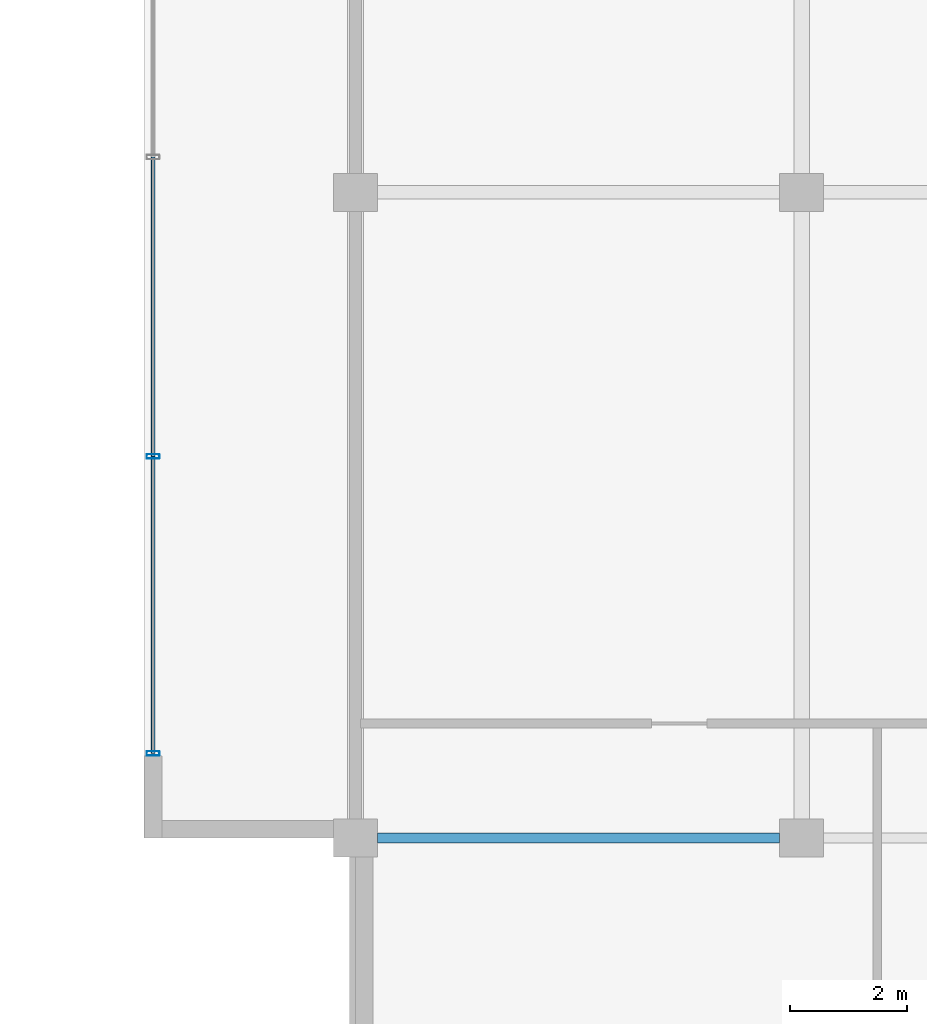
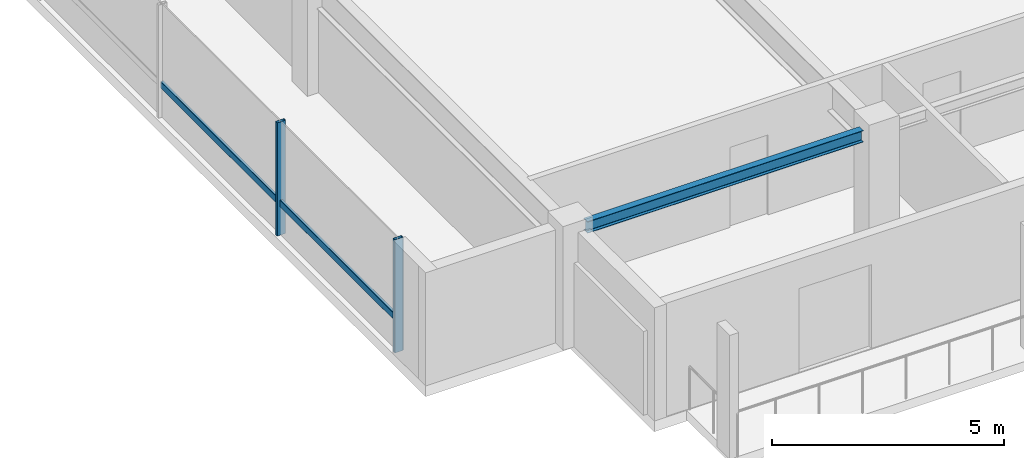
# One storey, part 2 of 30: 4 members, 1 beam, 1 element without a shape of its own.
"""IFC4 building model written with IfcOpenShell, lengths in metres."""

import ifcopenshell
import ifcopenshell.guid

model = None  # the IFC model being written
_history = None  # IfcOwnerHistory: only IFC2X3 demands one
_inside = {}  # id of a spatial element -> (the spatial element, [elements in it])
_under = {}  # id of a project, library or spatial element -> (it, [spatial elements below it])
_declared = {}  # id of a project -> (the project, [libraries it declares])
_typed = {}  # id of a type object -> (the type object, [elements of that type])
_made_of = {}  # id of a material, layer set ... -> (it, [elements and type objects made of it])


def new_model(schema):
    """Start an empty IFC model of exactly this schema.

    Asked for "IFC4X3", IfcOpenShell would pick the latest addendum, in which some entities
    have other attributes; the version numbers below select the first issue.
    IFC2X3 requires an IfcOwnerHistory on every rooted entity: one is made here for all.
    """
    global model, _history
    if schema == "IFC4X3":
        model = ifcopenshell.file(schema_version=(4, 3, 0, 0))
    else:
        model = ifcopenshell.file(schema=schema)
    _inside.clear()
    _under.clear()
    _declared.clear()
    _typed.clear()
    _made_of.clear()
    _history = None
    if model.schema == "IFC2X3":
        org = make("IfcOrganization", Name="unknown")
        user = make(
            "IfcPersonAndOrganization",
            ThePerson=make("IfcPerson", FamilyName="unknown"),
            TheOrganization=org,
        )
        app = make(
            "IfcApplication",
            ApplicationDeveloper=org,
            Version="unknown",
            ApplicationFullName="unknown",
            ApplicationIdentifier="unknown",
        )
        _history = make(
            "IfcOwnerHistory",
            OwningUser=user,
            OwningApplication=app,
            ChangeAction="ADDED",
            CreationDate=0,
        )
    return model


def make(cls, **values):
    """One entity of the class cls with the attributes given. An attribute that is None is left unset."""
    return model.create_entity(
        cls, **{name: value for name, value in values.items() if value is not None}
    )


def rooted(cls, **values):
    """An entity with a GlobalId (a new one), such as an element, a storey or a relation."""
    return make(cls, GlobalId=ifcopenshell.guid.new(), OwnerHistory=_history, **values)


def si_unit(unit_type, name, prefix=None):
    """IfcSIUnit, for example si_unit("LENGTHUNIT", "METRE", prefix="MILLI")."""
    return make("IfcSIUnit", UnitType=unit_type, Prefix=prefix, Name=name)


def assignment(units):
    """IfcUnitAssignment: the units of a project."""
    return None if units is None else make("IfcUnitAssignment", Units=units)


def point(xyz):
    """IfcCartesianPoint."""
    return None if xyz is None else make("IfcCartesianPoint", Coordinates=xyz)


def direction(xyz):
    """IfcDirection."""
    return None if xyz is None else make("IfcDirection", DirectionRatios=xyz)


def frame(location, z_axis=None, x_axis=None):
    """IfcAxis2Placement3D, a coordinate frame: its origin and axes. An axis left out is left unset."""
    return make(
        "IfcAxis2Placement3D",
        Location=point(location),
        Axis=direction(z_axis),
        RefDirection=direction(x_axis),
    )


def frame_2d(location, x_axis=None):
    """IfcAxis2Placement2D, a coordinate frame in the plane: its origin and x axis."""
    return make(
        "IfcAxis2Placement2D", Location=point(location), RefDirection=direction(x_axis)
    )


def origin():
    """The frame at (0, 0, 0) with its axes left unset."""
    return frame((0.0, 0.0, 0.0))


def origin_2d():
    """The frame at (0, 0) in the plane with its x axis left unset."""
    return frame_2d((0.0, 0.0))


def place(relative_to, where):
    """IfcLocalPlacement: puts the frame where relative to a parent placement (None: the world)."""
    return make(
        "IfcLocalPlacement", PlacementRelTo=relative_to, RelativePlacement=where
    )


def context(
    kind, dimensions, precision=None, world=None, true_north=None, identifier=None
):
    """IfcGeometricRepresentationContext, for example the 3D "Model" context."""
    return make(
        "IfcGeometricRepresentationContext",
        ContextIdentifier=identifier,
        ContextType=kind,
        CoordinateSpaceDimension=dimensions,
        Precision=precision,
        WorldCoordinateSystem=world,
        TrueNorth=true_north,
    )


def subcontext(parent, identifier, kind, view, scale=None):
    """IfcGeometricRepresentationSubContext, for example "Body" below "Model"."""
    return make(
        "IfcGeometricRepresentationSubContext",
        ContextIdentifier=identifier,
        ContextType=kind,
        ParentContext=parent,
        TargetScale=scale,
        TargetView=view,
    )


def project(units=None, contexts=None):
    """IfcProject with its units and contexts."""
    return rooted(
        "IfcProject",
        Name="project",
        RepresentationContexts=contexts,
        UnitsInContext=assignment(units),
    )


def spatial(cls, under=None, at=None, **own):
    """A site, building, storey or space (cls), placed at a placement, below another one or the project."""
    s = rooted(cls, ObjectPlacement=at, **own)
    if under is not None:
        _under.setdefault(under.id(), (under, []))[1].append(s)
    return s


def profile(cls, at=None, kind="AREA", **sizes):
    """A parametric profile (cls). Its sizes go by their IFC names, for example OverallWidth=200.0."""
    return make(cls, ProfileType=kind, Position=at, **sizes)


def hollow_rectangle(**sizes):
    """IfcRectangleHollowProfileDef."""
    return profile("IfcRectangleHollowProfileDef", **sizes)


def i_section(**sizes):
    """IfcIShapeProfileDef."""
    return profile("IfcIShapeProfileDef", **sizes)


def extrude(swept, where, along, depth):
    """IfcExtrudedAreaSolid: the profile swept, set in the frame where, extruded along a direction by depth."""
    return make(
        "IfcExtrudedAreaSolid",
        SweptArea=swept,
        Position=where,
        ExtrudedDirection=direction(along),
        Depth=depth,
    )


def shape(context_of_items, identifier, shape_type, items):
    """IfcShapeRepresentation: the items that make up one representation, for example the "Body"."""
    return make(
        "IfcShapeRepresentation",
        ContextOfItems=context_of_items,
        RepresentationIdentifier=identifier,
        RepresentationType=shape_type,
        Items=items,
    )


def material(Name=None, Category=None):
    """IfcMaterial."""
    return make("IfcMaterial", Name=Name, Category=Category)


def layer(
    of_material, thickness, ventilated=None, Name=None, Category=None, Priority=None
):
    """IfcMaterialLayer: one layer of a wall or slab, of a material (None: an air gap)."""
    return make(
        "IfcMaterialLayer",
        Material=of_material,
        LayerThickness=thickness,
        IsVentilated=ventilated,
        Name=Name,
        Category=Category,
        Priority=Priority,
    )


def layer_set(layers, Name=None):
    """IfcMaterialLayerSet."""
    return make("IfcMaterialLayerSet", MaterialLayers=layers, LayerSetName=Name)


def material_profile(
    of_material, cross_section, Name=None, Category=None, Priority=None
):
    """IfcMaterialProfile: a cross section and its material."""
    return make(
        "IfcMaterialProfile",
        Name=Name,
        Material=of_material,
        Profile=cross_section,
        Priority=Priority,
        Category=Category,
    )


def profile_set(profiles, Name=None, composite=None):
    """IfcMaterialProfileSet."""
    return make(
        "IfcMaterialProfileSet",
        Name=Name,
        MaterialProfiles=profiles,
        CompositeProfile=composite,
    )


def made_of(thing, what):
    """Note that an element or type object is made of a material, layer set ...; save() writes the relation."""
    if what is not None:
        _made_of.setdefault(what.id(), (what, []))[1].append(thing)
    return thing


def type_object(cls, material=None, **own):
    """A type object (cls), such as IfcWallType, which elements share."""
    return made_of(rooted(cls, **own), material)


def element(
    cls,
    number,
    at=None,
    inside=None,
    cuts=None,
    type_object=None,
    material=None,
    context=None,
    identifier="Body",
    shape_type=None,
    held_by="IfcProductDefinitionShape",
    body=None,
    shapes=None,
    **own,
):
    """One element of the class cls, such as IfcWall. Its Tag is "e" and its number.

    at: its placement. inside: the storey or other place that contains it. cuts: it is an
    opening in that element (IfcRelVoidsElement). A single representation is given by context,
    identifier, shape_type and body (its items); several are given by shapes. held_by: the class
    of the entity that holds the representations. save() writes the other relations.
    """
    e = rooted(cls, Tag="e%d" % number, ObjectPlacement=at, **own)
    if body is not None:
        shapes = [shape(context, identifier, shape_type, body)]
    if shapes is not None:
        e.Representation = make(held_by, Representations=shapes)
    if inside is not None:
        _inside.setdefault(inside.id(), (inside, []))[1].append(e)
    if cuts is not None:
        rooted(
            "IfcRelVoidsElement", RelatingBuildingElement=cuts, RelatedOpeningElement=e
        )
    if type_object is not None:
        _typed.setdefault(type_object.id(), (type_object, []))[1].append(e)
    return made_of(e, material)


def aggregate(whole, parts):
    """IfcRelAggregates: a whole, such as a stair, and the parts it consists of."""
    return rooted("IfcRelAggregates", RelatingObject=whole, RelatedObjects=parts)


def save(model, path):
    """Write the relations noted so far, then the file.

    IfcRelAggregates (storeys below a building ...), IfcRelContainedInSpatialStructure (elements
    in a storey), IfcRelDefinesByType, IfcRelAssociatesMaterial and IfcRelDeclares: one each for
    every whole, place, type object, material and project.
    """
    for whole, parts in _under.values():
        aggregate(whole, parts)
    for where, things in _inside.values():
        rooted(
            "IfcRelContainedInSpatialStructure",
            RelatedElements=things,
            RelatingStructure=where,
        )
    for kind, things in _typed.values():
        rooted("IfcRelDefinesByType", RelatedObjects=things, RelatingType=kind)
    for what, things in _made_of.values():
        rooted("IfcRelAssociatesMaterial", RelatedObjects=things, RelatingMaterial=what)
    for by, libraries in _declared.values():
        rooted("IfcRelDeclares", RelatingContext=by, RelatedDefinitions=libraries)
    model.write(path)


model = new_model("IFC4")

# Units and contexts
model_context = context("Model", 3, precision=1e-05, world=origin(), true_north=direction((0.0, 1.0)))
body_context = subcontext(model_context, "Body", "Model", "MODEL_VIEW")
ifc_project = project(units=[si_unit("LENGTHUNIT", "METRE"), si_unit("AREAUNIT", "SQUARE_METRE"), si_unit("VOLUMEUNIT", "CUBIC_METRE"), si_unit("PLANEANGLEUNIT", "RADIAN"), si_unit("MASSUNIT", "GRAM", prefix="KILO")], contexts=[model_context])

# Site, building, storey
site_placement = place(None, origin())
site = spatial("IfcSite", under=ifc_project, at=site_placement, CompositionType="ELEMENT")
building_placement = place(site_placement, origin())
building = spatial("IfcBuilding", under=site, at=building_placement, Name="Korimba Cascade Residences", CompositionType="ELEMENT")
storey_placement = place(building_placement, frame((0.0, 0.0, 201.10009765625)))
storey = spatial("IfcBuildingStorey", under=building, at=storey_placement, Name="L58", CompositionType="ELEMENT", Elevation=201.10009765625)

# Beam
ifc_material_1 = material(Name="Steel S355", Category="steel")
ifc_material_profile_1 = material_profile(ifc_material_1, i_section(OverallWidth=0.165771484375, OverallDepth=0.306640625, WebThickness=0.006591796875, FlangeThickness=0.01171875, FilletRadius=0.0087890625, at=origin_2d()), Name="Steel S355")
ifc_profile_set_1 = profile_set([ifc_material_profile_1], Name="Steel S355")
beam_type = type_object("IfcBeamType", Name="BM-STL-UB305", PredefinedType="SPANDREL", material=ifc_profile_set_1)
beam_placement = place(storey_placement, frame((74.875, -4.199951171875, 2.816650390625), z_axis=(1.0, 0.0, 0.0), x_axis=(0.0, 1.0, 0.0)))
element("IfcBeam", 1, at=beam_placement, inside=storey, type_object=beam_type, Name="L58 T2 E-W Girder Y1 Bay 1", PredefinedType="SPANDREL", context=body_context, shape_type="SweptSolid", body=[
    extrude(i_section(OverallWidth=0.165771484375, OverallDepth=0.306640625, WebThickness=0.006591796875, FlangeThickness=0.01171875, FilletRadius=0.0087890625, at=origin_2d()), origin(), (0.0, 0.0, 1.0), 6.85009765625),
])

# Curtain wall, members
ifc_material_2 = material(Name="Anodised Aluminium Curtain Wall Framing", Category="aluminium")
ifc_layer = layer(ifc_material_2, 0.179931640625)
ifc_layer_set = layer_set([ifc_layer], Name="Anodised Aluminium Curtain Wall Framing")
curtain_wall_type = type_object("IfcCurtainWallType", Name="CW-SKY-SYS2", PredefinedType="NOTDEFINED", material=ifc_layer_set)
curtain_wall_placement = place(storey_placement, origin())
curtain_wall = element("IfcCurtainWall", 2, at=curtain_wall_placement, inside=storey, type_object=curtain_wall_type, Name="L58 Curtain Wall CW-L58-T2-E9", PredefinedType="NOTDEFINED")
ifc_material_3 = material(Name="Anodised Aluminium Mullion", Category="aluminium")
ifc_material_profile_2 = material_profile(ifc_material_3, hollow_rectangle(XDim=0.080078125, YDim=0.219970703125, WallThickness=0.00634765625, InnerFilletRadius=0.00634765625, OuterFilletRadius=0.0126953125, at=origin_2d()), Name="Anodised Aluminium Mullion")
ifc_profile_set_2 = profile_set([ifc_material_profile_2], Name="Anodised Aluminium Mullion")
member_type_1 = type_object("IfcMemberType", Name="CWM-MUL-220", PredefinedType="MULLION", material=ifc_profile_set_2)
member_1_placement = place(storey_placement, frame((71.050048828125, 2.300048828125, 0.0), z_axis=(0.0, 0.0, 1.0), x_axis=(0.0, -1.0, 0.0)))
member_1 = element("IfcMember", 3, at=member_1_placement, type_object=member_type_1, Name="CW-L58-T2-E9 Mullion 6", PredefinedType="MULLION", context=body_context, shape_type="SweptSolid", body=[
    extrude(hollow_rectangle(XDim=0.080078125, YDim=0.219970703125, WallThickness=0.00634765625, InnerFilletRadius=0.00634765625, OuterFilletRadius=0.0126953125, at=origin_2d()), origin(), (0.0, 0.0, 1.0), 2.969970703125),
])
member_2_placement = place(storey_placement, frame((71.050048828125, -2.760009765625, 0.0), z_axis=(0.0, 0.0, 1.0), x_axis=(0.0, -1.0, 0.0)))
member_2 = element("IfcMember", 4, at=member_2_placement, type_object=member_type_1, Name="CW-L58-T2-E9 Mullion 7", PredefinedType="MULLION", context=body_context, shape_type="SweptSolid", body=[
    extrude(hollow_rectangle(XDim=0.080078125, YDim=0.219970703125, WallThickness=0.00634765625, InnerFilletRadius=0.00634765625, OuterFilletRadius=0.0126953125, at=origin_2d()), origin(), (0.0, 0.0, 1.0), 2.969970703125),
])
ifc_material_4 = material(Name="Anodised Aluminium Transom", Category="aluminium")
ifc_material_profile_3 = material_profile(ifc_material_4, hollow_rectangle(XDim=0.070068359375, YDim=0.179931640625, WallThickness=0.0048828125, InnerFilletRadius=0.0048828125, OuterFilletRadius=0.010009765625, at=origin_2d()), Name="Anodised Aluminium Transom")
ifc_profile_set_3 = profile_set([ifc_material_profile_3], Name="Anodised Aluminium Transom")
member_type_2 = type_object("IfcMemberType", Name="CWM-TRN-150", PredefinedType="USERDEFINED", material=ifc_profile_set_3)
member_3_placement = place(storey_placement, frame((71.050048828125, 7.39990234375, 0.83154296875), z_axis=(0.0, -1.0, 0.0), x_axis=(1.0, 0.0, 0.0)))
member_3 = element("IfcMember", 5, at=member_3_placement, type_object=member_type_2, Name="CW-L58-T2-E9 Transom 5", ObjectType="TRANSOM", PredefinedType="USERDEFINED", context=body_context, shape_type="SweptSolid", body=[
    extrude(hollow_rectangle(XDim=0.070068359375, YDim=0.179931640625, WallThickness=0.0048828125, InnerFilletRadius=0.0048828125, OuterFilletRadius=0.010009765625, at=origin_2d()), origin(), (0.0, 0.0, 1.0), 5.099853515625),
])
member_4_placement = place(storey_placement, frame((71.050048828125, 2.300048828125, 0.83154296875), z_axis=(0.0, -1.0, 0.0), x_axis=(1.0, 0.0, 0.0)))
member_4 = element("IfcMember", 6, at=member_4_placement, type_object=member_type_2, Name="CW-L58-T2-E9 Transom 6", ObjectType="TRANSOM", PredefinedType="USERDEFINED", context=body_context, shape_type="SweptSolid", body=[
    extrude(hollow_rectangle(XDim=0.070068359375, YDim=0.179931640625, WallThickness=0.0048828125, InnerFilletRadius=0.0048828125, OuterFilletRadius=0.010009765625, at=origin_2d()), origin(), (0.0, 0.0, 1.0), 5.06005859375),
])
aggregate(curtain_wall, [member_1, member_2, member_3, member_4])

save(model, "model.ifc")
